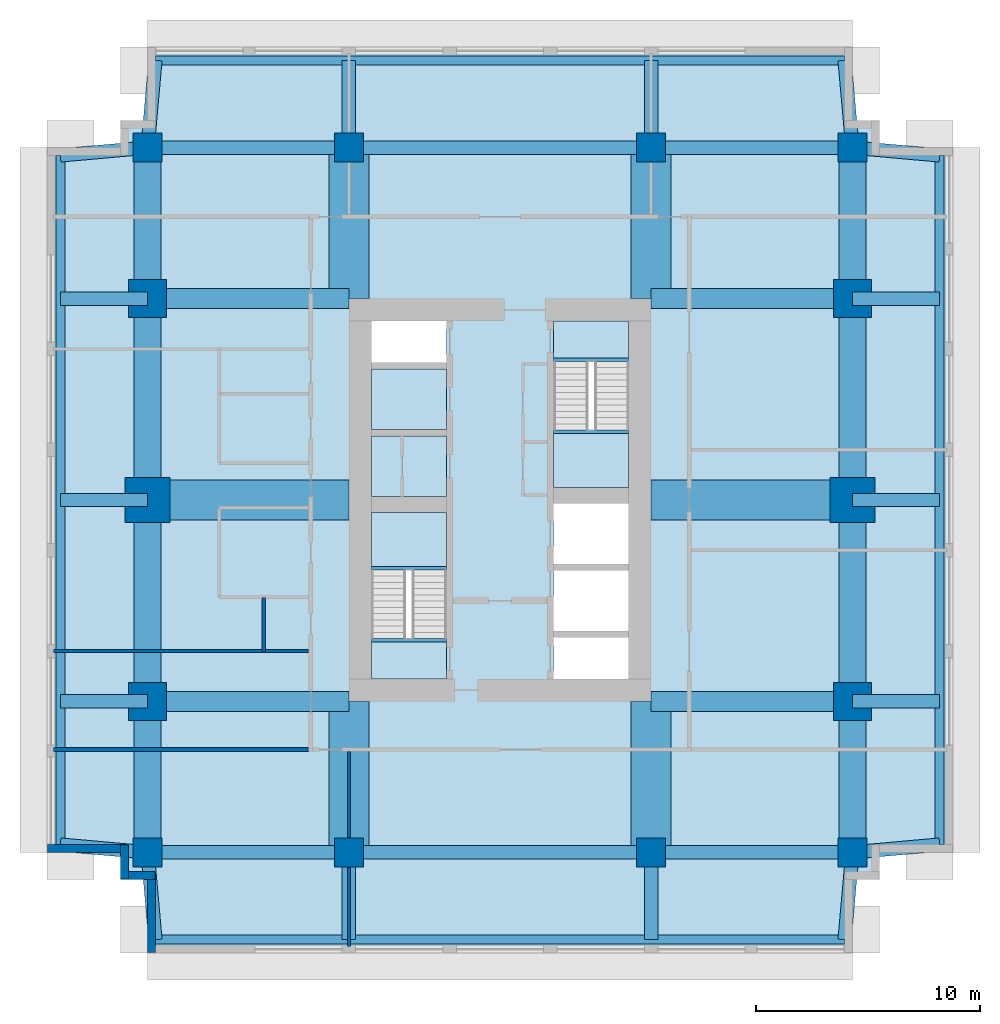
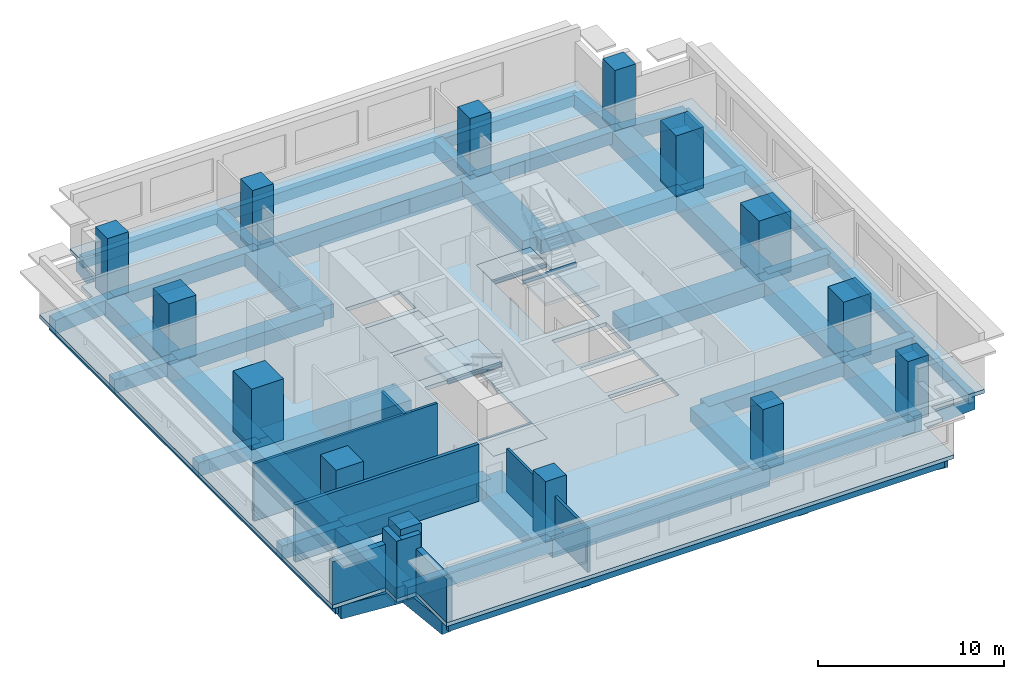
# One storey, part 1 of 5: 50 beams, 14 columns, 9 walls, 7 slabs, 2 elements without a shape of their own.
"""IFC4 building model written with IfcOpenShell, lengths in metres."""

from ifc_helpers import new_model, si_unit, direction, frame, frame_2d, origin, origin_2d, place, context, subcontext, project, spatial, polyline, rectangle, i_section, outline, extrude, material, layer, layer_set, material_profile, profile_set, type_object, element, aggregate, save


model = new_model("IFC4")

# Units and contexts
model_context = context("Model", 3, precision=1e-05, world=origin(), true_north=direction((0.0, 1.0)))
body_context = subcontext(model_context, "Body", "Model", "MODEL_VIEW")
ifc_project = project(units=[si_unit("LENGTHUNIT", "METRE"), si_unit("AREAUNIT", "SQUARE_METRE"), si_unit("VOLUMEUNIT", "CUBIC_METRE"), si_unit("PLANEANGLEUNIT", "RADIAN"), si_unit("MASSUNIT", "GRAM", prefix="KILO")], contexts=[model_context])

# Site, building, storey
site_placement = place(None, origin())
site = spatial("IfcSite", under=ifc_project, at=site_placement, CompositionType="ELEMENT")
building_placement = place(site_placement, origin())
building = spatial("IfcBuilding", under=site, at=building_placement, Name="Namib Vertical Campus", CompositionType="ELEMENT")
storey_placement = place(building_placement, frame((0.0, 0.0, 277.0)))
storey = spatial("IfcBuildingStorey", under=building, at=storey_placement, Name="L65", CompositionType="ELEMENT", Elevation=277.0)

# Columns
ifc_material_1 = material(Name="Concrete C60/75", Category="concrete")
ifc_material_profile_1 = material_profile(ifc_material_1, rectangle(XDim=1.300048828125, YDim=1.300048828125, at=origin_2d()))
ifc_profile_set_1 = profile_set([ifc_material_profile_1], Name="Concrete C60/75")
column_type_1 = type_object("IfcColumnType", Name="Column RC 1300x1300", PredefinedType="COLUMN", material=ifc_profile_set_1)
for number, where, z_axis, x_axis, name in (
    (1, (4.5, 4.5, 0.0), (0.0, 0.0, 1.0), (1.0, 0.0, 0.0), "Column C130 L65"),
    (2, (13.5, 4.5, 0.0), (0.0, 0.0, 1.0), (1.0, 0.0, 0.0), "Column C130 L65"),
    (3, (27.0, 4.5, 0.0), (0.0, 0.0, 1.0), (1.0, 0.0, 0.0), "Column C130 L65"),
    (4, (36.0, 4.5, 0.0), (0.0, 0.0, 1.0), (1.0, 0.0, 0.0), "Column C130 L65"),
    (5, (4.5, 36.0, 0.0), (0.0, 0.0, 1.0), (1.0, 0.0, 0.0), "Column C130 L65"),
    (6, (13.5, 36.0, 0.0), (0.0, 0.0, 1.0), (1.0, 0.0, 0.0), "Column C130 L65"),
    (7, (27.0, 36.0, 0.0), (0.0, 0.0, 1.0), (1.0, 0.0, 0.0), "Column C130 L65"),
    (8, (36.0, 36.0, 0.0), (0.0, 0.0, 1.0), (1.0, 0.0, 0.0), "Column C130 L65"),
):
    element("IfcColumn", number, at=place(storey_placement, frame(where, z_axis=z_axis, x_axis=x_axis)), inside=storey, type_object=column_type_1, Name=name, PredefinedType="COLUMN", context=body_context, shape_type="SweptSolid", body=[
        extrude(rectangle(XDim=1.300048828125, YDim=1.300048828125, at=origin_2d()), origin(), (0.0, 0.0, 1.0), 4.0),
    ])
ifc_material_2 = material(Name="Concrete C60/75", Category="concrete")
ifc_material_profile_2 = material_profile(ifc_material_2, rectangle(XDim=1.699951171875, YDim=1.699951171875, at=origin_2d()))
ifc_profile_set_2 = profile_set([ifc_material_profile_2], Name="Concrete C60/75")
column_type_2 = type_object("IfcColumnType", Name="Column RC 1700x1700", PredefinedType="COLUMN", material=ifc_profile_set_2)
for number, where, z_axis, x_axis, name in (
    (9, (4.5, 11.25, 0.0), (0.0, 0.0, 1.0), (1.0, 0.0, 0.0), "Column C170 L65"),
    (10, (36.0, 11.25, 0.0), (0.0, 0.0, 1.0), (1.0, 0.0, 0.0), "Column C170 L65"),
    (11, (4.5, 29.25, 0.0), (0.0, 0.0, 1.0), (1.0, 0.0, 0.0), "Column C170 L65"),
    (12, (36.0, 29.25, 0.0), (0.0, 0.0, 1.0), (1.0, 0.0, 0.0), "Column C170 L65"),
):
    element("IfcColumn", number, at=place(storey_placement, frame(where, z_axis=z_axis, x_axis=x_axis)), inside=storey, type_object=column_type_2, Name=name, PredefinedType="COLUMN", context=body_context, shape_type="SweptSolid", body=[
        extrude(rectangle(XDim=1.699951171875, YDim=1.699951171875, at=origin_2d()), origin(), (0.0, 0.0, 1.0), 4.0),
    ])
ifc_material_3 = material(Name="Concrete C60/75", Category="concrete")
ifc_material_profile_3 = material_profile(ifc_material_3, rectangle(XDim=2.0, YDim=2.0, at=origin_2d()))
ifc_profile_set_3 = profile_set([ifc_material_profile_3], Name="Concrete C60/75")
column_type_3 = type_object("IfcColumnType", Name="Column RC 2000x2000", PredefinedType="COLUMN", material=ifc_profile_set_3)
for number, where, z_axis, x_axis, name in (
    (13, (4.5, 20.25, 0.0), (0.0, 0.0, 1.0), (1.0, 0.0, 0.0), "Column C200 L65"),
    (14, (36.0, 20.25, 0.0), (0.0, 0.0, 1.0), (1.0, 0.0, 0.0), "Column C200 L65"),
):
    element("IfcColumn", number, at=place(storey_placement, frame(where, z_axis=z_axis, x_axis=x_axis)), inside=storey, type_object=column_type_3, Name=name, PredefinedType="COLUMN", context=body_context, shape_type="SweptSolid", body=[
        extrude(rectangle(XDim=2.0, YDim=2.0, at=origin_2d()), origin(), (0.0, 0.0, 1.0), 4.0),
    ])

# Beams
ifc_material_4 = material(Name="Concrete C40/50", Category="concrete")
ifc_material_profile_4 = material_profile(ifc_material_4, rectangle(XDim=0.60009765625, YDim=0.89990234375, at=origin_2d()))
ifc_profile_set_4 = profile_set([ifc_material_profile_4], Name="Concrete C40/50")
beam_type_1 = type_object("IfcBeamType", Name="Cantilever girder RC 600x900", PredefinedType="BEAM", material=ifc_profile_set_4)
beam_1_placement = place(storey_placement, frame((4.5, 4.5, -0.699951171875), z_axis=(0.089411326146, -0.995994786511, 0.0), x_axis=(0.995994786511, 0.089411326146, 0.0)))
element("IfcBeam", 15, at=beam_1_placement, inside=storey, type_object=beam_type_1, Name="Beam B3 L65", PredefinedType="BEAM", context=body_context, shape_type="SweptSolid", body=[
    extrude(rectangle(XDim=0.60009765625, YDim=0.89990234375, at=origin_2d()), origin(), (0.0, 0.0, 1.0), 3.91552734375),
])
for number, where, z_axis, x_axis, name in (
    (16, (13.5, 4.5, -0.699951171875), (0.0, -1.0, 0.0), (1.0, 0.0, 0.0), "Beam B3 L65"),
    (17, (27.0, 4.5, -0.699951171875), (0.0, -1.0, 0.0), (1.0, 0.0, 0.0), "Beam B3 L65"),
):
    element("IfcBeam", number, at=place(storey_placement, frame(where, z_axis=z_axis, x_axis=x_axis)), inside=storey, type_object=beam_type_1, Name=name, PredefinedType="BEAM", context=body_context, shape_type="SweptSolid", body=[
        extrude(rectangle(XDim=0.60009765625, YDim=0.89990234375, at=origin_2d()), origin(), (0.0, 0.0, 1.0), 3.89990234375),
    ])
for number, where, z_axis, x_axis, name in (
    (18, (36.0, 4.5, -0.699951171875), (-0.089411326146, -0.995994786511, 0.0), (0.995994786511, -0.089411326146, 0.0), "Beam B3 L65"),
    (19, (4.5, 36.0, -0.699951171875), (0.089411326146, 0.995994786511, 0.0), (-0.995994786511, 0.089411326146, 0.0), "Beam B3 L65"),
):
    element("IfcBeam", number, at=place(storey_placement, frame(where, z_axis=z_axis, x_axis=x_axis)), inside=storey, type_object=beam_type_1, Name=name, PredefinedType="BEAM", context=body_context, shape_type="SweptSolid", body=[
        extrude(rectangle(XDim=0.60009765625, YDim=0.89990234375, at=origin_2d()), origin(), (0.0, 0.0, 1.0), 3.91552734375),
    ])
for number, where, z_axis, x_axis, name in (
    (20, (13.5, 36.0, -0.699951171875), (0.0, 1.0, 0.0), (-1.0, 0.0, 0.0), "Beam B3 L65"),
    (21, (27.0, 36.0, -0.699951171875), (0.0, 1.0, 0.0), (-1.0, 0.0, 0.0), "Beam B3 L65"),
):
    element("IfcBeam", number, at=place(storey_placement, frame(where, z_axis=z_axis, x_axis=x_axis)), inside=storey, type_object=beam_type_1, Name=name, PredefinedType="BEAM", context=body_context, shape_type="SweptSolid", body=[
        extrude(rectangle(XDim=0.60009765625, YDim=0.89990234375, at=origin_2d()), origin(), (0.0, 0.0, 1.0), 3.89990234375),
    ])
for number, where, z_axis, x_axis, name in (
    (22, (36.0, 36.0, -0.699951171875), (-0.089411326146, 0.995994786511, 0.0), (-0.995994786511, -0.089411326146, 0.0), "Beam B3 L65"),
    (23, (4.5, 4.5, -0.699951171875), (-0.995994786511, 0.089411326146, 0.0), (-0.089411326146, -0.995994786511, 0.0), "Beam B3 L65"),
):
    element("IfcBeam", number, at=place(storey_placement, frame(where, z_axis=z_axis, x_axis=x_axis)), inside=storey, type_object=beam_type_1, Name=name, PredefinedType="BEAM", context=body_context, shape_type="SweptSolid", body=[
        extrude(rectangle(XDim=0.60009765625, YDim=0.89990234375, at=origin_2d()), origin(), (0.0, 0.0, 1.0), 3.91552734375),
    ])
for number, where, z_axis, x_axis, name in (
    (24, (4.5, 11.25, -0.699951171875), (-1.0, 0.0, 0.0), (0.0, -1.0, 0.0), "Beam B3 L65"),
    (25, (4.5, 20.25, -0.699951171875), (-1.0, 0.0, 0.0), (0.0, -1.0, 0.0), "Beam B3 L65"),
    (26, (4.5, 29.25, -0.699951171875), (-1.0, 0.0, 0.0), (0.0, -1.0, 0.0), "Beam B3 L65"),
):
    element("IfcBeam", number, at=place(storey_placement, frame(where, z_axis=z_axis, x_axis=x_axis)), inside=storey, type_object=beam_type_1, Name=name, PredefinedType="BEAM", context=body_context, shape_type="SweptSolid", body=[
        extrude(rectangle(XDim=0.60009765625, YDim=0.89990234375, at=origin_2d()), origin(), (0.0, 0.0, 1.0), 3.89990234375),
    ])
for number, where, z_axis, x_axis, name in (
    (27, (4.5, 36.0, -0.699951171875), (-0.995994786511, -0.089411326146, 0.0), (0.089411326146, -0.995994786511, 0.0), "Beam B3 L65"),
    (28, (36.0, 4.5, -0.699951171875), (0.995994786511, 0.089411326146, 0.0), (-0.089411326146, 0.995994786511, 0.0), "Beam B3 L65"),
):
    element("IfcBeam", number, at=place(storey_placement, frame(where, z_axis=z_axis, x_axis=x_axis)), inside=storey, type_object=beam_type_1, Name=name, PredefinedType="BEAM", context=body_context, shape_type="SweptSolid", body=[
        extrude(rectangle(XDim=0.60009765625, YDim=0.89990234375, at=origin_2d()), origin(), (0.0, 0.0, 1.0), 3.91552734375),
    ])
for number, where, z_axis, x_axis, name in (
    (29, (36.0, 11.25, -0.699951171875), (1.0, 0.0, 0.0), (0.0, 1.0, 0.0), "Beam B3 L65"),
    (30, (36.0, 20.25, -0.699951171875), (1.0, 0.0, 0.0), (0.0, 1.0, 0.0), "Beam B3 L65"),
    (31, (36.0, 29.25, -0.699951171875), (1.0, 0.0, 0.0), (0.0, 1.0, 0.0), "Beam B3 L65"),
):
    element("IfcBeam", number, at=place(storey_placement, frame(where, z_axis=z_axis, x_axis=x_axis)), inside=storey, type_object=beam_type_1, Name=name, PredefinedType="BEAM", context=body_context, shape_type="SweptSolid", body=[
        extrude(rectangle(XDim=0.60009765625, YDim=0.89990234375, at=origin_2d()), origin(), (0.0, 0.0, 1.0), 3.89990234375),
    ])
beam_2_placement = place(storey_placement, frame((36.0, 36.0, -0.699951171875), z_axis=(0.995994786511, -0.089411326146, 0.0), x_axis=(0.089411326146, 0.995994786511, 0.0)))
element("IfcBeam", 32, at=beam_2_placement, inside=storey, type_object=beam_type_1, Name="Beam B3 L65", PredefinedType="BEAM", context=body_context, shape_type="SweptSolid", body=[
    extrude(rectangle(XDim=0.60009765625, YDim=0.89990234375, at=origin_2d()), origin(), (0.0, 0.0, 1.0), 3.91552734375),
])
ifc_material_5 = material(Name="Concrete C40/50", Category="concrete")
ifc_material_profile_5 = material_profile(ifc_material_5, rectangle(XDim=0.39990234375, YDim=0.699951171875, at=origin_2d()))
ifc_profile_set_5 = profile_set([ifc_material_profile_5], Name="Concrete C40/50")
beam_type_2 = type_object("IfcBeamType", Name="Edge beam RC 400x700", PredefinedType="SPANDREL", material=ifc_profile_set_5)
for number, where, z_axis, x_axis, name in (
    (33, (4.85009765625, 0.60009765625, -0.60009765625), (1.0, 0.0, 0.0), (0.0, 1.0, 0.0), "Beam B4 L65"),
    (34, (4.85009765625, 39.89990234375, -0.60009765625), (1.0, 0.0, 0.0), (0.0, 1.0, 0.0), "Beam B4 L65"),
    (35, (0.60009765625, 4.85009765625, -0.60009765625), (0.0, 1.0, 0.0), (-1.0, 0.0, 0.0), "Beam B4 L65"),
    (36, (39.89990234375, 4.85009765625, -0.60009765625), (0.0, 1.0, 0.0), (-1.0, 0.0, 0.0), "Beam B4 L65"),
):
    element("IfcBeam", number, at=place(storey_placement, frame(where, z_axis=z_axis, x_axis=x_axis)), inside=storey, type_object=beam_type_2, Name=name, PredefinedType="SPANDREL", context=body_context, shape_type="SweptSolid", body=[
        extrude(rectangle(XDim=0.39990234375, YDim=0.699951171875, at=origin_2d()), origin(), (0.0, 0.0, 1.0), 30.7998046875),
    ])
ifc_material_6 = material(Name="Concrete C40/50", Category="concrete")
ifc_material_profile_6 = material_profile(ifc_material_6, rectangle(XDim=0.89990234375, YDim=0.89990234375, at=origin_2d()))
ifc_profile_set_6 = profile_set([ifc_material_profile_6], Name="Concrete C40/50")
beam_type_3 = type_object("IfcBeamType", Name="Face girder RC 900x900", PredefinedType="BEAM", material=ifc_profile_set_6)
for number, where, z_axis, x_axis, name in (
    (37, (4.5, 11.25, -0.699951171875), (1.0, 0.0, 0.0), (0.0, 1.0, 0.0), "Beam B10 L65"),
    (38, (36.0, 11.25, -0.699951171875), (-1.0, 0.0, 0.0), (0.0, -1.0, 0.0), "Beam B10 L65"),
    (39, (4.5, 29.25, -0.699951171875), (1.0, 0.0, 0.0), (0.0, 1.0, 0.0), "Beam B10 L65"),
    (40, (36.0, 29.25, -0.699951171875), (-1.0, 0.0, 0.0), (0.0, -1.0, 0.0), "Beam B10 L65"),
):
    element("IfcBeam", number, at=place(storey_placement, frame(where, z_axis=z_axis, x_axis=x_axis)), inside=storey, type_object=beam_type_3, Name=name, PredefinedType="BEAM", context=body_context, shape_type="SweptSolid", body=[
        extrude(rectangle(XDim=0.89990234375, YDim=0.89990234375, at=origin_2d()), origin(), (0.0, 0.0, 1.0), 9.0),
    ])
ifc_material_7 = material(Name="Concrete C40/50", Category="concrete")
ifc_material_profile_7 = material_profile(ifc_material_7, rectangle(XDim=1.199951171875, YDim=1.10009765625, at=origin_2d()))
ifc_profile_set_7 = profile_set([ifc_material_profile_7], Name="Concrete C40/50")
beam_type_4 = type_object("IfcBeamType", Name="Face ring beam RC 1200x1100", PredefinedType="BEAM", material=ifc_profile_set_7)
beam_3_placement = place(storey_placement, frame((4.5, 4.5, -0.800048828125), z_axis=(0.0, 1.0, 0.0), x_axis=(-1.0, 0.0, 0.0)))
element("IfcBeam", 41, at=beam_3_placement, inside=storey, type_object=beam_type_4, Name="Beam B11 L65", PredefinedType="BEAM", context=body_context, shape_type="SweptSolid", body=[
    extrude(rectangle(XDim=1.199951171875, YDim=1.10009765625, at=origin_2d()), origin(), (0.0, 0.0, 1.0), 6.75),
])
for number, where, z_axis, x_axis, name in (
    (42, (4.5, 11.25, -0.800048828125), (0.0, 1.0, 0.0), (-1.0, 0.0, 0.0), "Beam B11 L65"),
    (43, (4.5, 20.25, -0.800048828125), (0.0, 1.0, 0.0), (-1.0, 0.0, 0.0), "Beam B11 L65"),
):
    element("IfcBeam", number, at=place(storey_placement, frame(where, z_axis=z_axis, x_axis=x_axis)), inside=storey, type_object=beam_type_4, Name=name, PredefinedType="BEAM", context=body_context, shape_type="SweptSolid", body=[
        extrude(rectangle(XDim=1.199951171875, YDim=1.10009765625, at=origin_2d()), origin(), (0.0, 0.0, 1.0), 9.0),
    ])
for number, where, z_axis, x_axis, name in (
    (44, (4.5, 29.25, -0.800048828125), (0.0, 1.0, 0.0), (-1.0, 0.0, 0.0), "Beam B11 L65"),
    (45, (36.0, 4.5, -0.800048828125), (0.0, 1.0, 0.0), (-1.0, 0.0, 0.0), "Beam B11 L65"),
):
    element("IfcBeam", number, at=place(storey_placement, frame(where, z_axis=z_axis, x_axis=x_axis)), inside=storey, type_object=beam_type_4, Name=name, PredefinedType="BEAM", context=body_context, shape_type="SweptSolid", body=[
        extrude(rectangle(XDim=1.199951171875, YDim=1.10009765625, at=origin_2d()), origin(), (0.0, 0.0, 1.0), 6.75),
    ])
for number, where, z_axis, x_axis, name in (
    (46, (36.0, 11.25, -0.800048828125), (0.0, 1.0, 0.0), (-1.0, 0.0, 0.0), "Beam B11 L65"),
    (47, (36.0, 20.25, -0.800048828125), (0.0, 1.0, 0.0), (-1.0, 0.0, 0.0), "Beam B11 L65"),
):
    element("IfcBeam", number, at=place(storey_placement, frame(where, z_axis=z_axis, x_axis=x_axis)), inside=storey, type_object=beam_type_4, Name=name, PredefinedType="BEAM", context=body_context, shape_type="SweptSolid", body=[
        extrude(rectangle(XDim=1.199951171875, YDim=1.10009765625, at=origin_2d()), origin(), (0.0, 0.0, 1.0), 9.0),
    ])
beam_4_placement = place(storey_placement, frame((36.0, 29.25, -0.800048828125), z_axis=(0.0, 1.0, 0.0), x_axis=(-1.0, 0.0, 0.0)))
element("IfcBeam", 48, at=beam_4_placement, inside=storey, type_object=beam_type_4, Name="Beam B11 L65", PredefinedType="BEAM", context=body_context, shape_type="SweptSolid", body=[
    extrude(rectangle(XDim=1.199951171875, YDim=1.10009765625, at=origin_2d()), origin(), (0.0, 0.0, 1.0), 6.75),
])
ifc_material_8 = material(Name="Steel S355JR", Category="steel")
ifc_material_profile_8 = material_profile(ifc_material_8, i_section(OverallWidth=0.14599609375, OverallDepth=0.25146484375, WebThickness=0.006103515625, FlangeThickness=0.008544921875, FilletRadius=0.007568359375, at=origin_2d()))
ifc_profile_set_8 = profile_set([ifc_material_profile_8], Name="Steel S355JR")
beam_type_5 = type_object("IfcBeamType", Name="Landing trimmer UB 254x146x31", PredefinedType="BEAM", material=ifc_profile_set_8)
for number, where, z_axis, x_axis, name in (
    (49, (14.5, 13.97705078125, -0.125732421875), (1.0, 0.0, 0.0), (0.0, 1.0, 0.0), "Landing trimmer LT1 A-S1 L65 1"),
    (50, (14.5, 17.203125, 1.874267578125), (1.0, 0.0, 0.0), (0.0, 1.0, 0.0), "Landing trimmer LT1 A-S1 L65 2"),
    (51, (22.64990234375, 26.52294921875, -0.125732421875), (1.0, 0.0, 0.0), (0.0, 1.0, 0.0), "Landing trimmer LT1 A-S2 L65 1"),
    (52, (22.64990234375, 23.296875, 1.874267578125), (1.0, 0.0, 0.0), (0.0, 1.0, 0.0), "Landing trimmer LT1 A-S2 L65 2"),
):
    element("IfcBeam", number, at=place(storey_placement, frame(where, z_axis=z_axis, x_axis=x_axis)), inside=storey, type_object=beam_type_5, Name=name, PredefinedType="BEAM", context=body_context, shape_type="SweptSolid", body=[
        extrude(i_section(OverallWidth=0.14599609375, OverallDepth=0.25146484375, WebThickness=0.006103515625, FlangeThickness=0.008544921875, FilletRadius=0.007568359375, at=origin_2d()), origin(), (0.0, 0.0, 1.0), 3.35009765625),
    ])
ifc_material_9 = material(Name="Concrete C40/50", Category="concrete")
ifc_material_profile_9 = material_profile(ifc_material_9, rectangle(XDim=0.60009765625, YDim=1.199951171875, at=origin_2d()))
ifc_profile_set_9 = profile_set([ifc_material_profile_9], Name="Concrete C40/50")
beam_type_6 = type_object("IfcBeamType", Name="Long-span ring beam RC 600x1200", PredefinedType="BEAM", material=ifc_profile_set_9)
for number, where, z_axis, x_axis, name in (
    (53, (13.5, 4.5, -0.85009765625), (1.0, 0.0, 0.0), (0.0, 1.0, 0.0), "Beam B9 L65"),
    (54, (13.5, 36.0, -0.85009765625), (1.0, 0.0, 0.0), (0.0, 1.0, 0.0), "Beam B9 L65"),
):
    element("IfcBeam", number, at=place(storey_placement, frame(where, z_axis=z_axis, x_axis=x_axis)), inside=storey, type_object=beam_type_6, Name=name, PredefinedType="BEAM", context=body_context, shape_type="SweptSolid", body=[
        extrude(rectangle(XDim=0.60009765625, YDim=1.199951171875, at=origin_2d()), origin(), (0.0, 0.0, 1.0), 13.5),
    ])
ifc_material_10 = material(Name="Concrete C40/50", Category="concrete")
ifc_material_profile_10 = material_profile(ifc_material_10, rectangle(XDim=1.800048828125, YDim=0.89990234375, at=origin_2d()))
ifc_profile_set_10 = profile_set([ifc_material_profile_10], Name="Concrete C40/50")
beam_type_7 = type_object("IfcBeamType", Name="Outrigger line girder RC 1800x900", PredefinedType="BEAM", material=ifc_profile_set_10)
for number, where, z_axis, x_axis, name in (
    (55, (13.5, 4.5, -0.699951171875), (0.0, 1.0, 0.0), (-1.0, 0.0, 0.0), "Beam B12 L65"),
    (56, (13.5, 36.0, -0.699951171875), (0.0, -1.0, 0.0), (1.0, 0.0, 0.0), "Beam B12 L65"),
    (57, (27.0, 4.5, -0.699951171875), (0.0, 1.0, 0.0), (-1.0, 0.0, 0.0), "Beam B12 L65"),
    (58, (27.0, 36.0, -0.699951171875), (0.0, -1.0, 0.0), (1.0, 0.0, 0.0), "Beam B12 L65"),
):
    element("IfcBeam", number, at=place(storey_placement, frame(where, z_axis=z_axis, x_axis=x_axis)), inside=storey, type_object=beam_type_7, Name=name, PredefinedType="BEAM", context=body_context, shape_type="SweptSolid", body=[
        extrude(rectangle(XDim=1.800048828125, YDim=0.89990234375, at=origin_2d()), origin(), (0.0, 0.0, 1.0), 6.75),
    ])
for number, where, z_axis, x_axis, name in (
    (59, (4.5, 20.25, -0.699951171875), (1.0, 0.0, 0.0), (0.0, 1.0, 0.0), "Beam B12 L65"),
    (60, (36.0, 20.25, -0.699951171875), (-1.0, 0.0, 0.0), (0.0, -1.0, 0.0), "Beam B12 L65"),
):
    element("IfcBeam", number, at=place(storey_placement, frame(where, z_axis=z_axis, x_axis=x_axis)), inside=storey, type_object=beam_type_7, Name=name, PredefinedType="BEAM", context=body_context, shape_type="SweptSolid", body=[
        extrude(rectangle(XDim=1.800048828125, YDim=0.89990234375, at=origin_2d()), origin(), (0.0, 0.0, 1.0), 9.0),
    ])
ifc_material_11 = material(Name="Concrete C40/50", Category="concrete")
ifc_material_profile_11 = material_profile(ifc_material_11, rectangle(XDim=0.60009765625, YDim=0.800048828125, at=origin_2d()))
ifc_profile_set_11 = profile_set([ifc_material_profile_11], Name="Concrete C40/50")
beam_type_8 = type_object("IfcBeamType", Name="Ring beam RC 600x800", PredefinedType="BEAM", material=ifc_profile_set_11)
for number, where, z_axis, x_axis, name in (
    (61, (4.5, 4.5, -0.64990234375), (1.0, 0.0, 0.0), (0.0, 1.0, 0.0), "Beam B1 L65"),
    (62, (27.0, 4.5, -0.64990234375), (1.0, 0.0, 0.0), (0.0, 1.0, 0.0), "Beam B1 L65"),
    (63, (4.5, 36.0, -0.64990234375), (1.0, 0.0, 0.0), (0.0, 1.0, 0.0), "Beam B1 L65"),
    (64, (27.0, 36.0, -0.64990234375), (1.0, 0.0, 0.0), (0.0, 1.0, 0.0), "Beam B1 L65"),
):
    element("IfcBeam", number, at=place(storey_placement, frame(where, z_axis=z_axis, x_axis=x_axis)), inside=storey, type_object=beam_type_8, Name=name, PredefinedType="BEAM", context=body_context, shape_type="SweptSolid", body=[
        extrude(rectangle(XDim=0.60009765625, YDim=0.800048828125, at=origin_2d()), origin(), (0.0, 0.0, 1.0), 9.0),
    ])

# Slabs
ifc_material_12 = material(Name="Concrete C40/50", Category="concrete")
ifc_layer_1 = layer(ifc_material_12, 0.25)
ifc_layer_set_1 = layer_set([ifc_layer_1], Name="Concrete C40/50")
slab_type_1 = type_object("IfcSlabType", Name="Floor slab 250", PredefinedType="FLOOR", material=ifc_layer_set_1)
slab_1_placement = place(storey_placement, frame((0.0, 0.0, -0.25)))
element("IfcSlab", 65, at=slab_1_placement, inside=storey, type_object=slab_type_1, Name="Floor slab A L65", PredefinedType="FLOOR", context=body_context, shape_type="SweptSolid", body=[
    extrude(outline(polyline([(4.5, 0.0), (36.0, 0.0), (36.0, 3.300048828125), (37.199951171875, 3.300048828125), (37.199951171875, 4.5), (40.5, 4.5), (40.5, 36.0), (37.199951171875, 36.0), (37.199951171875, 37.199951171875), (36.0, 37.199951171875), (36.0, 40.5), (4.5, 40.5), (4.5, 37.199951171875), (3.300048828125, 37.199951171875), (3.300048828125, 36.0), (0.0, 36.0), (0.0, 4.5), (3.300048828125, 4.5), (3.300048828125, 3.300048828125), (4.5, 3.300048828125), (4.5, 0.0)]), holes=[polyline([(14.5, 12.25), (17.85009765625, 12.25), (17.85009765625, 19.699951171875), (14.5, 19.699951171875), (14.5, 12.25)]), polyline([(22.64990234375, 20.800048828125), (26.0, 20.800048828125), (26.0, 28.25), (22.64990234375, 28.25), (22.64990234375, 20.800048828125)]), polyline([(22.64990234375, 12.25), (26.0, 12.25), (26.0, 14.10009765625), (22.64990234375, 14.10009765625), (22.64990234375, 12.25)]), polyline([(14.5, 20.39990234375), (17.85009765625, 20.39990234375), (17.85009765625, 23.10009765625), (14.5, 23.10009765625), (14.5, 20.39990234375)]), polyline([(14.5, 23.39990234375), (17.85009765625, 23.39990234375), (17.85009765625, 26.10009765625), (14.5, 26.10009765625), (14.5, 23.39990234375)]), polyline([(14.5, 26.39990234375), (17.85009765625, 26.39990234375), (17.85009765625, 28.25), (14.5, 28.25), (14.5, 26.39990234375)]), polyline([(22.64990234375, 14.39990234375), (26.0, 14.39990234375), (26.0, 17.10009765625), (22.64990234375, 17.10009765625), (22.64990234375, 14.39990234375)]), polyline([(22.64990234375, 17.39990234375), (26.0, 17.39990234375), (26.0, 20.10009765625), (22.64990234375, 20.10009765625), (22.64990234375, 17.39990234375)])]), origin(), (0.0, 0.0, 1.0), 0.25),
])
ifc_material_13 = material(Name="Concrete C40/50 precast", Category="concrete")
ifc_layer_2 = layer(ifc_material_13, 0.25)
ifc_layer_set_2 = layer_set([ifc_layer_2], Name="Concrete C40/50 precast")
slab_type_2 = type_object("IfcSlabType", Name="Shaft infill floor 250", PredefinedType="FLOOR", material=ifc_layer_set_2)
slab_2_placement = place(storey_placement, frame((0.0, 0.0, -0.25)))
element("IfcSlab", 66, at=slab_2_placement, inside=storey, type_object=slab_type_2, Name="Shaft infill floor A L65 P1", PredefinedType="FLOOR", context=body_context, shape_type="SweptSolid", body=[
    extrude(outline(polyline([(14.5, 20.39990234375), (17.85009765625, 20.39990234375), (17.85009765625, 23.10009765625), (14.5, 23.10009765625), (14.5, 20.39990234375)])), origin(), (0.0, 0.0, 1.0), 0.25),
])
slab_3_placement = place(storey_placement, frame((0.0, 0.0, -0.25)))
element("IfcSlab", 67, at=slab_3_placement, inside=storey, type_object=slab_type_2, Name="Shaft infill floor A L65 P2", PredefinedType="FLOOR", context=body_context, shape_type="SweptSolid", body=[
    extrude(outline(polyline([(14.5, 23.39990234375), (17.85009765625, 23.39990234375), (17.85009765625, 26.10009765625), (14.5, 26.10009765625), (14.5, 23.39990234375)])), origin(), (0.0, 0.0, 1.0), 0.25),
])

# Stair, slabs
ifc_material_14 = material(Name="Concrete C40/50 precast", Category="concrete")
stair_type = type_object("IfcStairType", Name="Exit stair 4000 rise 24 risers 3350 wide", PredefinedType="HALF_TURN_STAIR", material=ifc_material_14)
stair_1_placement = place(storey_placement, origin())
stair_1 = element("IfcStair", 68, at=stair_1_placement, inside=storey, type_object=stair_type, Name="Exit stair A-S1 L65", PredefinedType="HALF_TURN_STAIR")
ifc_material_15 = material(Name="Concrete C40/50", Category="concrete")
ifc_layer_3 = layer(ifc_material_15, 0.199951171875)
ifc_layer_set_3 = layer_set([ifc_layer_3], Name="Concrete C40/50")
slab_type_3 = type_object("IfcSlabType", Name="Stair landing 200", PredefinedType="LANDING", material=ifc_layer_set_3)
slab_4_placement = place(storey_placement, frame((0.0, 0.0, -0.199951171875)))
slab_4 = element("IfcSlab", 69, at=slab_4_placement, type_object=slab_type_3, Name="A-S1 landing 1", PredefinedType="LANDING", context=body_context, shape_type="SweptSolid", body=[
    extrude(outline(polyline([(14.5, 12.25), (17.85009765625, 12.25), (17.85009765625, 13.90380859375), (14.5, 13.90380859375), (14.5, 12.25)])), origin(), (0.0, 0.0, 1.0), 0.199951171875),
])
slab_5_placement = place(storey_placement, frame((0.0, 0.0, 1.800048828125)))
slab_5 = element("IfcSlab", 70, at=slab_5_placement, type_object=slab_type_3, Name="A-S1 landing 2", PredefinedType="LANDING", context=body_context, shape_type="SweptSolid", body=[
    extrude(outline(polyline([(14.5, 17.276123046875), (17.85009765625, 17.276123046875), (17.85009765625, 19.699951171875), (14.5, 19.699951171875), (14.5, 17.276123046875)])), origin(), (0.0, 0.0, 1.0), 0.199951171875),
])
aggregate(stair_1, [slab_4, slab_5])

stair_2_placement = place(storey_placement, origin())
stair_2 = element("IfcStair", 71, at=stair_2_placement, inside=storey, type_object=stair_type, Name="Exit stair A-S2 L65", PredefinedType="HALF_TURN_STAIR")
slab_6_placement = place(storey_placement, frame((0.0, 0.0, -0.199951171875)))
slab_6 = element("IfcSlab", 72, at=slab_6_placement, type_object=slab_type_3, Name="A-S2 landing 1", PredefinedType="LANDING", context=body_context, shape_type="SweptSolid", body=[
    extrude(outline(polyline([(22.64990234375, 26.59619140625), (26.0, 26.59619140625), (26.0, 28.25), (22.64990234375, 28.25), (22.64990234375, 26.59619140625)])), origin(), (0.0, 0.0, 1.0), 0.199951171875),
])
slab_7_placement = place(storey_placement, frame((0.0, 0.0, 1.800048828125)))
slab_7 = element("IfcSlab", 73, at=slab_7_placement, type_object=slab_type_3, Name="A-S2 landing 2", PredefinedType="LANDING", context=body_context, shape_type="SweptSolid", body=[
    extrude(outline(polyline([(22.64990234375, 20.800048828125), (26.0, 20.800048828125), (26.0, 23.223876953125), (22.64990234375, 23.223876953125), (22.64990234375, 20.800048828125)])), origin(), (0.0, 0.0, 1.0), 0.199951171875),
])
aggregate(stair_2, [slab_6, slab_7])

# Walls
ifc_material_16 = material(Name="Concrete masonry", Category="masonry")
ifc_layer_4 = layer(ifc_material_16, 0.199951171875)
ifc_layer_set_4 = layer_set([ifc_layer_4], Name="Corridor wall 200")
wall_type_1 = type_object("IfcWallType", Name="Corridor wall 200", PredefinedType="SOLIDWALL", material=ifc_layer_set_4)
wall_1_placement = place(storey_placement, frame((0.300048828125, 9.10009765625, 0.0), z_axis=(0.0, 0.0, 1.0), x_axis=(1.0, 0.0, 0.0)))
element("IfcWall", 74, at=wall_1_placement, inside=storey, type_object=wall_type_1, Name="Partition A L65 BSW", PredefinedType="SOLIDWALL", context=body_context, shape_type="SweptSolid", body=[
    extrude(rectangle(XDim=11.39990234375, YDim=0.199951171875, at=frame_2d((5.699951171875, 0.0))), origin(), (0.0, 0.0, 1.0), 3.75),
])
ifc_material_17 = material(Name="Concrete C40/50", Category="concrete")
ifc_layer_5 = layer(ifc_material_17, 0.35009765625)
ifc_layer_set_5 = layer_set([ifc_layer_5], Name="Concrete C40/50")
wall_type_2 = type_object("IfcWallType", Name="External wall 350 bush-hammered concrete", PredefinedType="STANDARD", material=ifc_layer_set_5)
wall_2_placement = place(storey_placement, frame((0.02001953125, 4.675048828125, 0.0), z_axis=(0.0, 0.0, 1.0), x_axis=(1.0, 0.0, 0.0)))
element("IfcWall", 75, at=wall_2_placement, inside=storey, type_object=wall_type_2, Name="External wall L65 F17", PredefinedType="STANDARD", context=body_context, shape_type="SweptSolid", body=[
    extrude(rectangle(XDim=3.60986328125, YDim=0.35009765625, at=frame_2d((1.804931640625, 0.0))), origin(), (0.0, 0.0, 1.0), 2.85009765625),
])
for number, where, z_axis, x_axis, name in (
    (76, (3.47509765625, 4.830078125, 0.0), (0.0, 0.0, 1.0), (0.0, -1.0, 0.0), "External wall L65 F18"),
    (77, (3.320068359375, 3.47509765625, 0.0), (0.0, 0.0, 1.0), (1.0, 0.0, 0.0), "External wall L65 F19"),
):
    element("IfcWall", number, at=place(storey_placement, frame(where, z_axis=z_axis, x_axis=x_axis)), inside=storey, type_object=wall_type_2, Name=name, PredefinedType="STANDARD", context=body_context, shape_type="SweptSolid", body=[
        extrude(rectangle(XDim=1.510009765625, YDim=0.35009765625, at=frame_2d((0.7548828125, 0.0))), origin(), (0.0, 0.0, 1.0), 3.75),
    ])
wall_3_placement = place(storey_placement, frame((4.675048828125, 3.6298828125, 0.0), z_axis=(0.0, 0.0, 1.0), x_axis=(0.0, -1.0, 0.0)))
element("IfcWall", 78, at=wall_3_placement, inside=storey, type_object=wall_type_2, Name="External wall L65 F20", PredefinedType="STANDARD", context=body_context, shape_type="SweptSolid", body=[
    extrude(rectangle(XDim=3.60986328125, YDim=0.35009765625, at=frame_2d((1.804931640625, 0.0))), origin(), (0.0, 0.0, 1.0), 2.85009765625),
])
ifc_material_18 = material(Name="Gypsum board on steel studs", Category="steel")
ifc_layer_6 = layer(ifc_material_18, 0.14990234375)
ifc_layer_set_6 = layer_set([ifc_layer_6], Name="Gypsum board on steel studs")
wall_type_3 = type_object("IfcWallType", Name="Partition 150", PredefinedType="PARTITIONING", material=ifc_layer_set_6)
wall_4_placement = place(storey_placement, frame((13.5, 0.300048828125, 0.0), z_axis=(0.0, 0.0, 1.0), x_axis=(0.0, 1.0, 0.0)))
element("IfcWall", 79, at=wall_4_placement, inside=storey, type_object=wall_type_3, Name="Partition A L65 PS1", PredefinedType="PARTITIONING", context=body_context, shape_type="SweptSolid", body=[
    extrude(rectangle(XDim=3.530029296875, YDim=0.14990234375, at=frame_2d((1.76513671875, 0.0))), origin(), (0.0, 0.0, 1.0), 2.85009765625),
])
wall_5_placement = place(storey_placement, frame((13.5, 5.169921875, 0.0), z_axis=(0.0, 0.0, 1.0), x_axis=(0.0, 1.0, 0.0)))
element("IfcWall", 80, at=wall_5_placement, inside=storey, type_object=wall_type_3, Name="Partition A L65 PS1", PredefinedType="PARTITIONING", context=body_context, shape_type="SweptSolid", body=[
    extrude(rectangle(XDim=3.830078125, YDim=0.14990234375, at=frame_2d((1.9150390625, 0.0))), origin(), (0.0, 0.0, 1.0), 2.85009765625),
])
wall_6_placement = place(storey_placement, frame((0.300048828125, 13.5, 0.0), z_axis=(0.0, 0.0, 1.0), x_axis=(1.0, 0.0, 0.0)))
element("IfcWall", 81, at=wall_6_placement, inside=storey, type_object=wall_type_3, Name="Partition A L65 PW1", PredefinedType="PARTITIONING", context=body_context, shape_type="SweptSolid", body=[
    extrude(rectangle(XDim=11.39990234375, YDim=0.14990234375, at=frame_2d((5.699951171875, 0.0))), origin(), (0.0, 0.0, 1.0), 3.75),
])
wall_7_placement = place(storey_placement, frame((9.699951171875, 13.5, 0.0), z_axis=(0.0, 0.0, 1.0), x_axis=(0.0, 1.0, 0.0)))
element("IfcWall", 82, at=wall_7_placement, inside=storey, type_object=wall_type_3, Name="Partition A L65 WB1", PredefinedType="PARTITIONING", context=body_context, shape_type="SweptSolid", body=[
    extrude(rectangle(XDim=2.39990234375, YDim=0.14990234375, at=frame_2d((1.199951171875, 0.0))), origin(), (0.0, 0.0, 1.0), 3.75),
])

save(model, "model.ifc")
